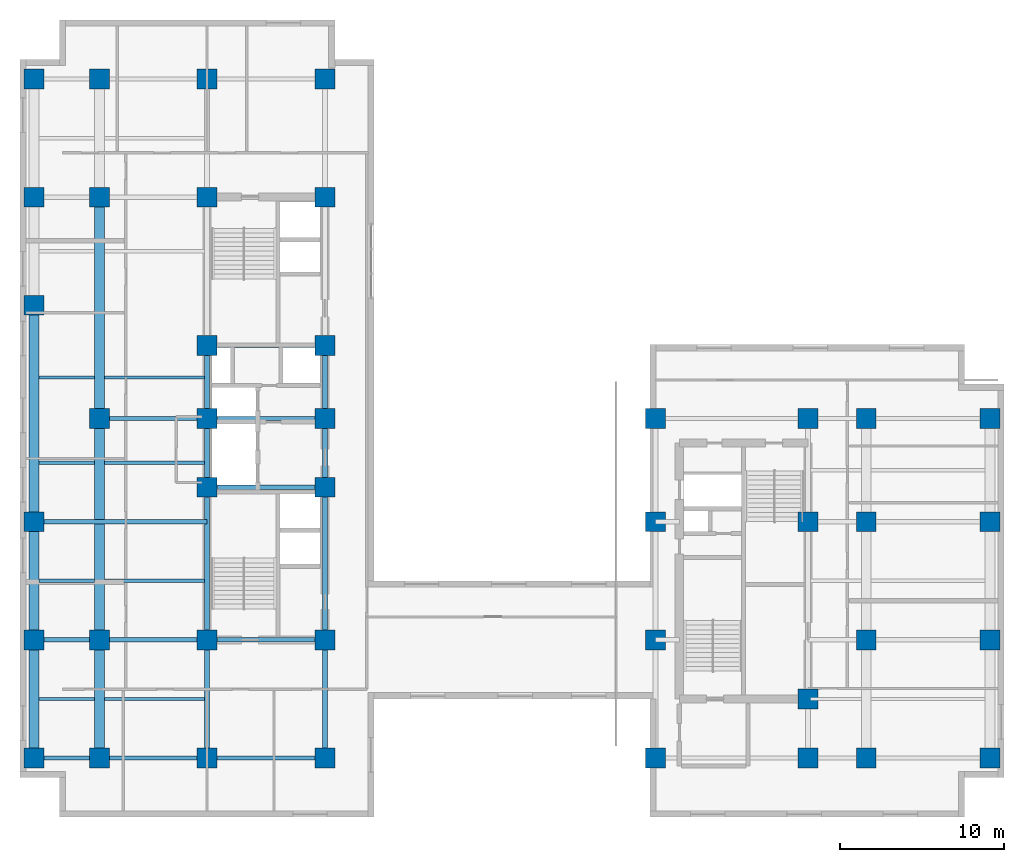
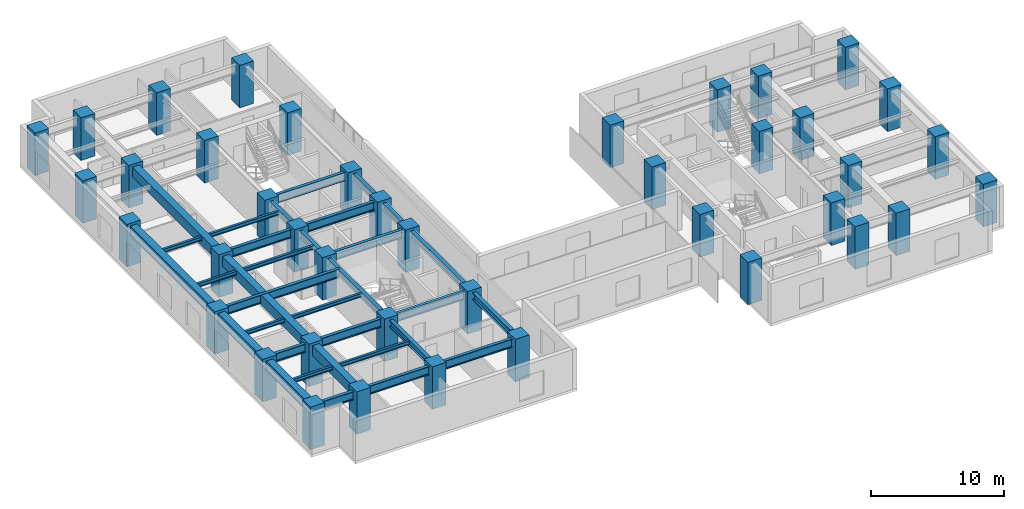
# One storey, part 1 of 11: 41 columns, 33 beams.
"""IFC4 building model written with IfcOpenShell, lengths in metres."""

from ifc_helpers import new_model, entity, si_unit, converted_unit, direction, frame, origin_with_axes, origin_2d_with_axis, place, context, subcontext, project, spatial, rectangle, i_section, extrude, material, material_profile, profile_set, type_object, element, save


model = new_model("IFC4")

# Units and contexts
model_context = context("Model", 3, precision=1e-05, world=origin_with_axes(), true_north=direction((0.0, 1.0)))
body_context = subcontext(model_context, "Body", "Model", "MODEL_VIEW")
ifc_project = project(units=[si_unit("LENGTHUNIT", "METRE"), si_unit("AREAUNIT", "SQUARE_METRE"), si_unit("VOLUMEUNIT", "CUBIC_METRE"), converted_unit("PLANEANGLEUNIT", "DEGREE", entity("IfcPlaneAngleMeasure", 0.017453292519943295), si_unit("PLANEANGLEUNIT", "RADIAN"), dimensions=[0, 0, 0, 0, 0, 0, 0]), si_unit("MASSUNIT", "GRAM", prefix="KILO"), si_unit("THERMODYNAMICTEMPERATUREUNIT", "KELVIN")], contexts=[model_context])

# Site, building, storey
site_placement = place(None, origin_with_axes())
site = spatial("IfcSite", under=ifc_project, at=site_placement, CompositionType="ELEMENT")
building_placement = place(site_placement, origin_with_axes())
building = spatial("IfcBuilding", under=site, at=building_placement, Name="Varnlund Millrace Tower", CompositionType="ELEMENT")
storey_placement = place(building_placement, frame((0.0, 0.0, 104.7), z_axis=(0.0, 0.0, 1.0), x_axis=(1.0, 0.0, 0.0)))
storey = spatial("IfcBuildingStorey", under=building, at=storey_placement, Name="L25", CompositionType="ELEMENT", Elevation=104.7)

# Columns
ifc_material_1 = material(Name="Concrete C80/95", Category="concrete")
ifc_material_profile_1 = material_profile(ifc_material_1, rectangle(XDim=1.2, YDim=1.2, at=origin_2d_with_axis()), Name="Concrete C80/95")
ifc_profile_set_1 = profile_set([ifc_material_profile_1], Name="Concrete C80/95")
column_type = type_object("IfcColumnType", Name="Type-Col-RC1200-C80", PredefinedType="COLUMN", material=ifc_profile_set_1)
for number, where, z_axis, x_axis, name in (
    (1, (11.4, 3.6, 0.0), (0.0, 0.0, 1.0), (1.0, 0.0, 0.0), "Type-Col-RC1200-C80"),
    (2, (11.4, 10.8, 0.0), (0.0, 0.0, 1.0), (1.0, 0.0, 0.0), "Type-Col-RC1200-C80"),
    (3, (11.4, 20.1, 0.0), (0.0, 0.0, 1.0), (1.0, 0.0, 0.0), "Type-Col-RC1200-C80"),
    (4, (11.4, 24.3, 0.0), (0.0, 0.0, 1.0), (1.0, 0.0, 0.0), "Type-Col-RC1200-C80"),
    (5, (11.4, 28.75, 0.0), (0.0, 0.0, 1.0), (1.0, 0.0, 0.0), "Type-Col-RC1200-C80"),
    (6, (11.4, 37.8, 0.0), (0.0, 0.0, 1.0), (1.0, 0.0, 0.0), "Type-Col-RC1200-C80"),
    (7, (11.4, 45.0, 0.0), (0.0, 0.0, 1.0), (1.0, 0.0, 0.0), "Type-Col-RC1200-C80"),
    (8, (18.6, 3.6, 0.0), (0.0, 0.0, 1.0), (1.0, 0.0, 0.0), "Type-Col-RC1200-C80"),
    (9, (18.6, 10.8, 0.0), (0.0, 0.0, 1.0), (1.0, 0.0, 0.0), "Type-Col-RC1200-C80"),
    (10, (18.6, 20.1, 0.0), (0.0, 0.0, 1.0), (1.0, 0.0, 0.0), "Type-Col-RC1200-C80"),
    (11, (18.6, 24.3, 0.0), (0.0, 0.0, 1.0), (1.0, 0.0, 0.0), "Type-Col-RC1200-C80"),
    (12, (18.6, 28.75, 0.0), (0.0, 0.0, 1.0), (1.0, 0.0, 0.0), "Type-Col-RC1200-C80"),
    (13, (18.6, 37.8, 0.0), (0.0, 0.0, 1.0), (1.0, 0.0, 0.0), "Type-Col-RC1200-C80"),
    (14, (18.6, 45.0, 0.0), (0.0, 0.0, 1.0), (1.0, 0.0, 0.0), "Type-Col-RC1200-C80"),
    (15, (4.85, 3.6, 0.0), (0.0, 0.0, 1.0), (1.0, 0.0, 0.0), "Type-Col-RC1200-C80"),
    (16, (4.85, 10.8, 0.0), (0.0, 0.0, 1.0), (1.0, 0.0, 0.0), "Type-Col-RC1200-C80"),
    (17, (4.85, 24.3, 0.0), (0.0, 0.0, 1.0), (1.0, 0.0, 0.0), "Type-Col-RC1200-C80"),
    (18, (4.85, 37.8, 0.0), (0.0, 0.0, 1.0), (1.0, 0.0, 0.0), "Type-Col-RC1200-C80"),
    (19, (4.85, 45.0, 0.0), (0.0, 0.0, 1.0), (1.0, 0.0, 0.0), "Type-Col-RC1200-C80"),
    (20, (0.85, 3.6, 0.0), (0.0, 0.0, 1.0), (1.0, 0.0, 0.0), "Type-Col-RC1200-C80"),
    (21, (0.85, 10.8, 0.0), (0.0, 0.0, 1.0), (1.0, 0.0, 0.0), "Type-Col-RC1200-C80"),
    (22, (0.85, 18.0, 0.0), (0.0, 0.0, 1.0), (1.0, 0.0, 0.0), "Type-Col-RC1200-C80"),
    (23, (0.85, 31.2, 0.0), (0.0, 0.0, 1.0), (1.0, 0.0, 0.0), "Type-Col-RC1200-C80"),
    (24, (0.85, 37.8, 0.0), (0.0, 0.0, 1.0), (1.0, 0.0, 0.0), "Type-Col-RC1200-C80"),
    (25, (0.85, 45.0, 0.0), (0.0, 0.0, 1.0), (1.0, 0.0, 0.0), "Type-Col-RC1200-C80"),
    (26, (38.75, 3.6, 0.0), (0.0, 0.0, 1.0), (1.0, 0.0, 0.0), "Type-Col-RC1200-C80"),
    (27, (38.75, 10.8, 0.0), (0.0, 0.0, 1.0), (1.0, 0.0, 0.0), "Type-Col-RC1200-C80"),
    (28, (38.75, 18.0, 0.0), (0.0, 0.0, 1.0), (1.0, 0.0, 0.0), "Type-Col-RC1200-C80"),
    (29, (38.75, 24.3, 0.0), (0.0, 0.0, 1.0), (1.0, 0.0, 0.0), "Type-Col-RC1200-C80"),
    (30, (48.05, 3.6, 0.0), (0.0, 0.0, 1.0), (1.0, 0.0, 0.0), "Type-Col-RC1200-C80"),
    (31, (48.05, 7.2, 0.0), (0.0, 0.0, 1.0), (1.0, 0.0, 0.0), "Type-Col-RC1200-C80"),
    (32, (48.05, 18.0, 0.0), (0.0, 0.0, 1.0), (1.0, 0.0, 0.0), "Type-Col-RC1200-C80"),
    (33, (48.05, 24.3, 0.0), (0.0, 0.0, 1.0), (1.0, 0.0, 0.0), "Type-Col-RC1200-C80"),
    (34, (51.6, 3.6, 0.0), (0.0, 0.0, 1.0), (1.0, 0.0, 0.0), "Type-Col-RC1200-C80"),
    (35, (51.6, 10.8, 0.0), (0.0, 0.0, 1.0), (1.0, 0.0, 0.0), "Type-Col-RC1200-C80"),
    (36, (51.6, 18.0, 0.0), (0.0, 0.0, 1.0), (1.0, 0.0, 0.0), "Type-Col-RC1200-C80"),
    (37, (51.6, 24.3, 0.0), (0.0, 0.0, 1.0), (1.0, 0.0, 0.0), "Type-Col-RC1200-C80"),
    (38, (59.15, 3.6, 0.0), (0.0, 0.0, 1.0), (1.0, 0.0, 0.0), "Type-Col-RC1200-C80"),
    (39, (59.15, 10.8, 0.0), (0.0, 0.0, 1.0), (1.0, 0.0, 0.0), "Type-Col-RC1200-C80"),
    (40, (59.15, 18.0, 0.0), (0.0, 0.0, 1.0), (1.0, 0.0, 0.0), "Type-Col-RC1200-C80"),
    (41, (59.15, 24.3, 0.0), (0.0, 0.0, 1.0), (1.0, 0.0, 0.0), "Type-Col-RC1200-C80"),
):
    element("IfcColumn", number, at=place(storey_placement, frame(where, z_axis=z_axis, x_axis=x_axis)), inside=storey, type_object=column_type, Name=name, PredefinedType="COLUMN", context=body_context, shape_type="SweptSolid", body=[
        extrude(rectangle(XDim=1.2, YDim=1.2, at=origin_2d_with_axis()), origin_with_axes(), (0.0, 0.0, 1.0), 3.9),
    ])

# Beams
ifc_material_2 = material(Name="Steel ASTM A992 Grade 50", Category="steel")
ifc_material_profile_2 = material_profile(ifc_material_2, i_section(OverallWidth=0.328, OverallDepth=0.628, WebThickness=0.0165, FlangeThickness=0.0277, FilletRadius=0.018, at=origin_2d_with_axis()), Name="Steel ASTM A992 Grade 50")
ifc_profile_set_2 = profile_set([ifc_material_profile_2], Name="Steel ASTM A992 Grade 50")
beam_type_1 = type_object("IfcBeamType", Name="Type-Girder-W24X146", PredefinedType="USERDEFINED", material=ifc_profile_set_2)
beam_1_placement = place(storey_placement, frame((11.4, 3.6, 3.346), z_axis=(0.0, 1.0, 0.0), x_axis=(-1.0, 0.0, 0.0)))
element("IfcBeam", 42, at=beam_1_placement, inside=storey, type_object=beam_type_1, Name="Type-Girder-W24X146", ObjectType="GIRDER", PredefinedType="USERDEFINED", context=body_context, shape_type="SweptSolid", body=[
    extrude(i_section(OverallWidth=0.328, OverallDepth=0.628, WebThickness=0.0165, FlangeThickness=0.0277, FilletRadius=0.018, at=origin_2d_with_axis()), origin_with_axes(), (0.0, 0.0, 1.0), 7.2),
])
beam_2_placement = place(storey_placement, frame((11.4, 10.8, 3.346), z_axis=(0.0, 1.0, 0.0), x_axis=(-1.0, 0.0, 0.0)))
element("IfcBeam", 43, at=beam_2_placement, inside=storey, type_object=beam_type_1, Name="Type-Girder-W24X146", ObjectType="GIRDER", PredefinedType="USERDEFINED", context=body_context, shape_type="SweptSolid", body=[
    extrude(i_section(OverallWidth=0.328, OverallDepth=0.628, WebThickness=0.0165, FlangeThickness=0.0277, FilletRadius=0.018, at=origin_2d_with_axis()), origin_with_axes(), (0.0, 0.0, 1.0), 9.3),
])
beam_3_placement = place(storey_placement, frame((11.4, 20.1, 3.346), z_axis=(0.0, 1.0, 0.0), x_axis=(-1.0, 0.0, 0.0)))
element("IfcBeam", 44, at=beam_3_placement, inside=storey, type_object=beam_type_1, Name="Type-Girder-W24X146", ObjectType="GIRDER", PredefinedType="USERDEFINED", context=body_context, shape_type="SweptSolid", body=[
    extrude(i_section(OverallWidth=0.328, OverallDepth=0.628, WebThickness=0.0165, FlangeThickness=0.0277, FilletRadius=0.018, at=origin_2d_with_axis()), origin_with_axes(), (0.0, 0.0, 1.0), 4.2),
])
beam_4_placement = place(storey_placement, frame((11.4, 24.3, 3.346), z_axis=(0.0, 1.0, 0.0), x_axis=(-1.0, 0.0, 0.0)))
element("IfcBeam", 45, at=beam_4_placement, inside=storey, type_object=beam_type_1, Name="Type-Girder-W24X146", ObjectType="GIRDER", PredefinedType="USERDEFINED", context=body_context, shape_type="SweptSolid", body=[
    extrude(i_section(OverallWidth=0.328, OverallDepth=0.628, WebThickness=0.0165, FlangeThickness=0.0277, FilletRadius=0.018, at=origin_2d_with_axis()), origin_with_axes(), (0.0, 0.0, 1.0), 4.45),
])
beam_5_placement = place(storey_placement, frame((18.6, 3.6, 3.346), z_axis=(0.0, 1.0, 0.0), x_axis=(-1.0, 0.0, 0.0)))
element("IfcBeam", 46, at=beam_5_placement, inside=storey, type_object=beam_type_1, Name="Type-Girder-W24X146", ObjectType="GIRDER", PredefinedType="USERDEFINED", context=body_context, shape_type="SweptSolid", body=[
    extrude(i_section(OverallWidth=0.328, OverallDepth=0.628, WebThickness=0.0165, FlangeThickness=0.0277, FilletRadius=0.018, at=origin_2d_with_axis()), origin_with_axes(), (0.0, 0.0, 1.0), 7.2),
])
beam_6_placement = place(storey_placement, frame((18.6, 10.8, 3.346), z_axis=(0.0, 1.0, 0.0), x_axis=(-1.0, 0.0, 0.0)))
element("IfcBeam", 47, at=beam_6_placement, inside=storey, type_object=beam_type_1, Name="Type-Girder-W24X146", ObjectType="GIRDER", PredefinedType="USERDEFINED", context=body_context, shape_type="SweptSolid", body=[
    extrude(i_section(OverallWidth=0.328, OverallDepth=0.628, WebThickness=0.0165, FlangeThickness=0.0277, FilletRadius=0.018, at=origin_2d_with_axis()), origin_with_axes(), (0.0, 0.0, 1.0), 9.3),
])
beam_7_placement = place(storey_placement, frame((18.6, 20.1, 3.346), z_axis=(0.0, 1.0, 0.0), x_axis=(-1.0, 0.0, 0.0)))
element("IfcBeam", 48, at=beam_7_placement, inside=storey, type_object=beam_type_1, Name="Type-Girder-W24X146", ObjectType="GIRDER", PredefinedType="USERDEFINED", context=body_context, shape_type="SweptSolid", body=[
    extrude(i_section(OverallWidth=0.328, OverallDepth=0.628, WebThickness=0.0165, FlangeThickness=0.0277, FilletRadius=0.018, at=origin_2d_with_axis()), origin_with_axes(), (0.0, 0.0, 1.0), 4.2),
])
beam_8_placement = place(storey_placement, frame((18.6, 24.3, 3.346), z_axis=(0.0, 1.0, 0.0), x_axis=(-1.0, 0.0, 0.0)))
element("IfcBeam", 49, at=beam_8_placement, inside=storey, type_object=beam_type_1, Name="Type-Girder-W24X146", ObjectType="GIRDER", PredefinedType="USERDEFINED", context=body_context, shape_type="SweptSolid", body=[
    extrude(i_section(OverallWidth=0.328, OverallDepth=0.628, WebThickness=0.0165, FlangeThickness=0.0277, FilletRadius=0.018, at=origin_2d_with_axis()), origin_with_axes(), (0.0, 0.0, 1.0), 4.45),
])
ifc_material_profile_3 = material_profile(ifc_material_2, i_section(OverallWidth=0.266, OverallDepth=0.779, WebThickness=0.0165, FlangeThickness=0.03, FilletRadius=0.02, at=origin_2d_with_axis()), Name="Steel ASTM A992 Grade 50")
ifc_profile_set_3 = profile_set([ifc_material_profile_3], Name="Steel ASTM A992 Grade 50")
beam_type_2 = type_object("IfcBeamType", Name="Type-Girder-W30X148", PredefinedType="USERDEFINED", material=ifc_profile_set_3)
beam_9_placement = place(storey_placement, frame((0.85, 3.6, 3.2705), z_axis=(1.0, 0.0, 0.0), x_axis=(0.0, 1.0, 0.0)))
element("IfcBeam", 50, at=beam_9_placement, inside=storey, type_object=beam_type_2, Name="Type-Girder-W30X148", ObjectType="GIRDER", PredefinedType="USERDEFINED", context=body_context, shape_type="SweptSolid", body=[
    extrude(i_section(OverallWidth=0.266, OverallDepth=0.779, WebThickness=0.0165, FlangeThickness=0.03, FilletRadius=0.02, at=origin_2d_with_axis()), origin_with_axes(), (0.0, 0.0, 1.0), 4.0),
])
beam_10_placement = place(storey_placement, frame((4.85, 3.6, 3.2705), z_axis=(1.0, 0.0, 0.0), x_axis=(0.0, 1.0, 0.0)))
element("IfcBeam", 51, at=beam_10_placement, inside=storey, type_object=beam_type_2, Name="Type-Girder-W30X148", ObjectType="GIRDER", PredefinedType="USERDEFINED", context=body_context, shape_type="SweptSolid", body=[
    extrude(i_section(OverallWidth=0.266, OverallDepth=0.779, WebThickness=0.0165, FlangeThickness=0.03, FilletRadius=0.02, at=origin_2d_with_axis()), origin_with_axes(), (0.0, 0.0, 1.0), 6.55),
])
beam_11_placement = place(storey_placement, frame((11.4, 3.6, 3.2705), z_axis=(1.0, 0.0, 0.0), x_axis=(0.0, 1.0, 0.0)))
element("IfcBeam", 52, at=beam_11_placement, inside=storey, type_object=beam_type_2, Name="Type-Girder-W30X148", ObjectType="GIRDER", PredefinedType="USERDEFINED", context=body_context, shape_type="SweptSolid", body=[
    extrude(i_section(OverallWidth=0.266, OverallDepth=0.779, WebThickness=0.0165, FlangeThickness=0.03, FilletRadius=0.02, at=origin_2d_with_axis()), origin_with_axes(), (0.0, 0.0, 1.0), 7.2),
])
beam_12_placement = place(storey_placement, frame((0.85, 10.8, 3.2705), z_axis=(1.0, 0.0, 0.0), x_axis=(0.0, 1.0, 0.0)))
element("IfcBeam", 53, at=beam_12_placement, inside=storey, type_object=beam_type_2, Name="Type-Girder-W30X148", ObjectType="GIRDER", PredefinedType="USERDEFINED", context=body_context, shape_type="SweptSolid", body=[
    extrude(i_section(OverallWidth=0.266, OverallDepth=0.779, WebThickness=0.0165, FlangeThickness=0.03, FilletRadius=0.02, at=origin_2d_with_axis()), origin_with_axes(), (0.0, 0.0, 1.0), 4.0),
])
beam_13_placement = place(storey_placement, frame((4.85, 10.8, 3.2705), z_axis=(1.0, 0.0, 0.0), x_axis=(0.0, 1.0, 0.0)))
element("IfcBeam", 54, at=beam_13_placement, inside=storey, type_object=beam_type_2, Name="Type-Girder-W30X148", ObjectType="GIRDER", PredefinedType="USERDEFINED", context=body_context, shape_type="SweptSolid", body=[
    extrude(i_section(OverallWidth=0.266, OverallDepth=0.779, WebThickness=0.0165, FlangeThickness=0.03, FilletRadius=0.02, at=origin_2d_with_axis()), origin_with_axes(), (0.0, 0.0, 1.0), 6.55),
])
beam_14_placement = place(storey_placement, frame((11.4, 10.8, 3.2705), z_axis=(1.0, 0.0, 0.0), x_axis=(0.0, 1.0, 0.0)))
element("IfcBeam", 55, at=beam_14_placement, inside=storey, type_object=beam_type_2, Name="Type-Girder-W30X148", ObjectType="GIRDER", PredefinedType="USERDEFINED", context=body_context, shape_type="SweptSolid", body=[
    extrude(i_section(OverallWidth=0.266, OverallDepth=0.779, WebThickness=0.0165, FlangeThickness=0.03, FilletRadius=0.02, at=origin_2d_with_axis()), origin_with_axes(), (0.0, 0.0, 1.0), 7.2),
])
beam_15_placement = place(storey_placement, frame((0.85, 18.0, 3.2705), z_axis=(1.0, 0.0, 0.0), x_axis=(0.0, 1.0, 0.0)))
element("IfcBeam", 56, at=beam_15_placement, inside=storey, type_object=beam_type_2, Name="Type-Girder-W30X148", ObjectType="GIRDER", PredefinedType="USERDEFINED", context=body_context, shape_type="SweptSolid", body=[
    extrude(i_section(OverallWidth=0.266, OverallDepth=0.779, WebThickness=0.0165, FlangeThickness=0.03, FilletRadius=0.02, at=origin_2d_with_axis()), origin_with_axes(), (0.0, 0.0, 1.0), 10.55),
])
beam_16_placement = place(storey_placement, frame((11.4, 20.1, 3.2705), z_axis=(1.0, 0.0, 0.0), x_axis=(0.0, 1.0, 0.0)))
element("IfcBeam", 57, at=beam_16_placement, inside=storey, type_object=beam_type_2, Name="Type-Girder-W30X148", ObjectType="GIRDER", PredefinedType="USERDEFINED", context=body_context, shape_type="SweptSolid", body=[
    extrude(i_section(OverallWidth=0.266, OverallDepth=0.779, WebThickness=0.0165, FlangeThickness=0.03, FilletRadius=0.02, at=origin_2d_with_axis()), origin_with_axes(), (0.0, 0.0, 1.0), 7.2),
])
beam_17_placement = place(storey_placement, frame((4.85, 24.3, 3.2705), z_axis=(1.0, 0.0, 0.0), x_axis=(0.0, 1.0, 0.0)))
element("IfcBeam", 58, at=beam_17_placement, inside=storey, type_object=beam_type_2, Name="Type-Girder-W30X148", ObjectType="GIRDER", PredefinedType="USERDEFINED", context=body_context, shape_type="SweptSolid", body=[
    extrude(i_section(OverallWidth=0.266, OverallDepth=0.779, WebThickness=0.0165, FlangeThickness=0.03, FilletRadius=0.02, at=origin_2d_with_axis()), origin_with_axes(), (0.0, 0.0, 1.0), 6.55),
])
for number, where, z_axis, x_axis, name in (
    (59, (11.4, 24.3, 3.2705), (1.0, 0.0, 0.0), (0.0, 1.0, 0.0), "Type-Girder-W30X148"),
    (60, (11.4, 28.75, 3.2705), (1.0, 0.0, 0.0), (0.0, 1.0, 0.0), "Type-Girder-W30X148"),
):
    element("IfcBeam", number, at=place(storey_placement, frame(where, z_axis=z_axis, x_axis=x_axis)), inside=storey, type_object=beam_type_2, Name=name, ObjectType="GIRDER", PredefinedType="USERDEFINED", context=body_context, shape_type="SweptSolid", body=[
        extrude(i_section(OverallWidth=0.266, OverallDepth=0.779, WebThickness=0.0165, FlangeThickness=0.03, FilletRadius=0.02, at=origin_2d_with_axis()), origin_with_axes(), (0.0, 0.0, 1.0), 7.2),
    ])
ifc_material_profile_4 = material_profile(ifc_material_2, i_section(OverallWidth=0.204, OverallDepth=0.35, WebThickness=0.0086, FlangeThickness=0.0151, FilletRadius=0.013, at=origin_2d_with_axis()), Name="Steel ASTM A992 Grade 50")
ifc_profile_set_4 = profile_set([ifc_material_profile_4], Name="Steel ASTM A992 Grade 50")
beam_type_3 = type_object("IfcBeamType", Name="Type-Joist-W14X48", PredefinedType="JOIST", material=ifc_profile_set_4)
for number, where, z_axis, x_axis, name in (
    (61, (1.15, 7.2, 3.485), (1.0, 0.0, 0.0), (0.0, 1.0, 0.0), "Type-Joist-W14X48"),
    (62, (1.15, 14.4, 3.485), (1.0, 0.0, 0.0), (0.0, 1.0, 0.0), "Type-Joist-W14X48"),
    (63, (1.15, 21.6, 3.485), (1.0, 0.0, 0.0), (0.0, 1.0, 0.0), "Type-Joist-W14X48"),
    (64, (1.15, 26.8, 3.485), (1.0, 0.0, 0.0), (0.0, 1.0, 0.0), "Type-Joist-W14X48"),
):
    element("IfcBeam", number, at=place(storey_placement, frame(where, z_axis=z_axis, x_axis=x_axis)), inside=storey, type_object=beam_type_3, Name=name, PredefinedType="JOIST", context=body_context, shape_type="SweptSolid", body=[
        extrude(i_section(OverallWidth=0.204, OverallDepth=0.35, WebThickness=0.0086, FlangeThickness=0.0151, FilletRadius=0.013, at=origin_2d_with_axis()), origin_with_axes(), (0.0, 0.0, 1.0), 3.4),
    ])
for number, where, z_axis, x_axis, name in (
    (65, (5.15, 7.2, 3.485), (1.0, 0.0, 0.0), (0.0, 1.0, 0.0), "Type-Joist-W14X48"),
    (66, (5.15, 14.4, 3.485), (1.0, 0.0, 0.0), (0.0, 1.0, 0.0), "Type-Joist-W14X48"),
    (67, (5.15, 21.6, 3.485), (1.0, 0.0, 0.0), (0.0, 1.0, 0.0), "Type-Joist-W14X48"),
    (68, (5.15, 26.8, 3.485), (1.0, 0.0, 0.0), (0.0, 1.0, 0.0), "Type-Joist-W14X48"),
):
    element("IfcBeam", number, at=place(storey_placement, frame(where, z_axis=z_axis, x_axis=x_axis)), inside=storey, type_object=beam_type_3, Name=name, PredefinedType="JOIST", context=body_context, shape_type="SweptSolid", body=[
        extrude(i_section(OverallWidth=0.204, OverallDepth=0.35, WebThickness=0.0086, FlangeThickness=0.0151, FilletRadius=0.013, at=origin_2d_with_axis()), origin_with_axes(), (0.0, 0.0, 1.0), 6.086),
    ])
ifc_material_3 = material(Name="Concrete C70/85", Category="concrete")
ifc_material_profile_5 = material_profile(ifc_material_3, rectangle(XDim=0.6, YDim=0.9, at=origin_2d_with_axis()), Name="Concrete C70/85")
ifc_profile_set_5 = profile_set([ifc_material_profile_5], Name="Concrete C70/85")
beam_type_4 = type_object("IfcBeamType", Name="Type-Spandrel-RC600X900", PredefinedType="SPANDREL", material=ifc_profile_set_5)
for number, where, z_axis, x_axis, name in (
    (69, (0.85, 3.6, 3.21), (0.0, 1.0, 0.0), (-1.0, 0.0, 0.0), "Type-Spandrel-RC600X900"),
    (70, (0.85, 10.8, 3.21), (0.0, 1.0, 0.0), (-1.0, 0.0, 0.0), "Type-Spandrel-RC600X900"),
):
    element("IfcBeam", number, at=place(storey_placement, frame(where, z_axis=z_axis, x_axis=x_axis)), inside=storey, type_object=beam_type_4, Name=name, PredefinedType="SPANDREL", context=body_context, shape_type="SweptSolid", body=[
        extrude(rectangle(XDim=0.6, YDim=0.9, at=origin_2d_with_axis()), origin_with_axes(), (0.0, 0.0, 1.0), 7.2),
    ])
beam_18_placement = place(storey_placement, frame((0.85, 18.0, 3.21), z_axis=(0.0, 1.0, 0.0), x_axis=(-1.0, 0.0, 0.0)))
element("IfcBeam", 71, at=beam_18_placement, inside=storey, type_object=beam_type_4, Name="Type-Spandrel-RC600X900", PredefinedType="SPANDREL", context=body_context, shape_type="SweptSolid", body=[
    extrude(rectangle(XDim=0.6, YDim=0.9, at=origin_2d_with_axis()), origin_with_axes(), (0.0, 0.0, 1.0), 13.2),
])
beam_19_placement = place(storey_placement, frame((4.85, 3.6, 3.21), z_axis=(0.0, 1.0, 0.0), x_axis=(-1.0, 0.0, 0.0)))
element("IfcBeam", 72, at=beam_19_placement, inside=storey, type_object=beam_type_4, Name="Type-Spandrel-RC600X900", PredefinedType="SPANDREL", context=body_context, shape_type="SweptSolid", body=[
    extrude(rectangle(XDim=0.6, YDim=0.9, at=origin_2d_with_axis()), origin_with_axes(), (0.0, 0.0, 1.0), 7.2),
])
for number, where, z_axis, x_axis, name in (
    (73, (4.85, 10.8, 3.21), (0.0, 1.0, 0.0), (-1.0, 0.0, 0.0), "Type-Spandrel-RC600X900"),
    (74, (4.85, 24.3, 3.21), (0.0, 1.0, 0.0), (-1.0, 0.0, 0.0), "Type-Spandrel-RC600X900"),
):
    element("IfcBeam", number, at=place(storey_placement, frame(where, z_axis=z_axis, x_axis=x_axis)), inside=storey, type_object=beam_type_4, Name=name, PredefinedType="SPANDREL", context=body_context, shape_type="SweptSolid", body=[
        extrude(rectangle(XDim=0.6, YDim=0.9, at=origin_2d_with_axis()), origin_with_axes(), (0.0, 0.0, 1.0), 13.5),
    ])

save(model, "model.ifc")
